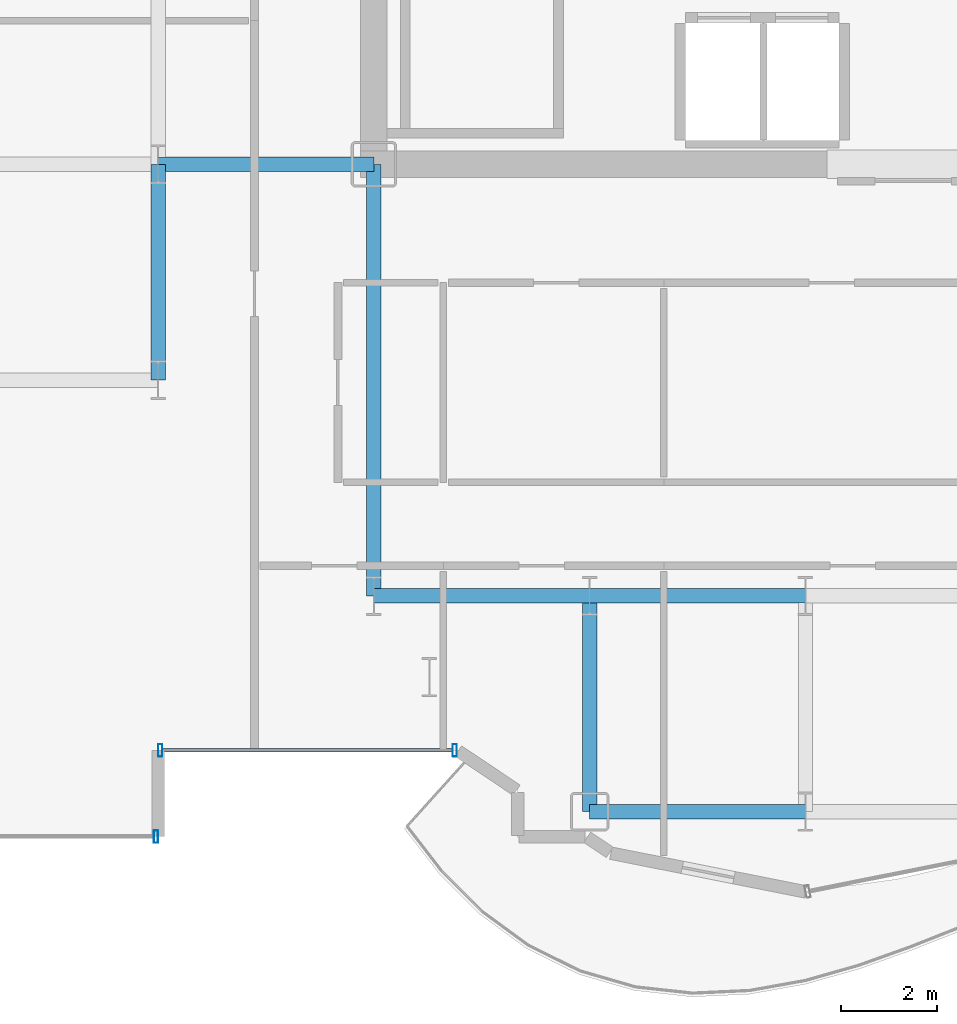
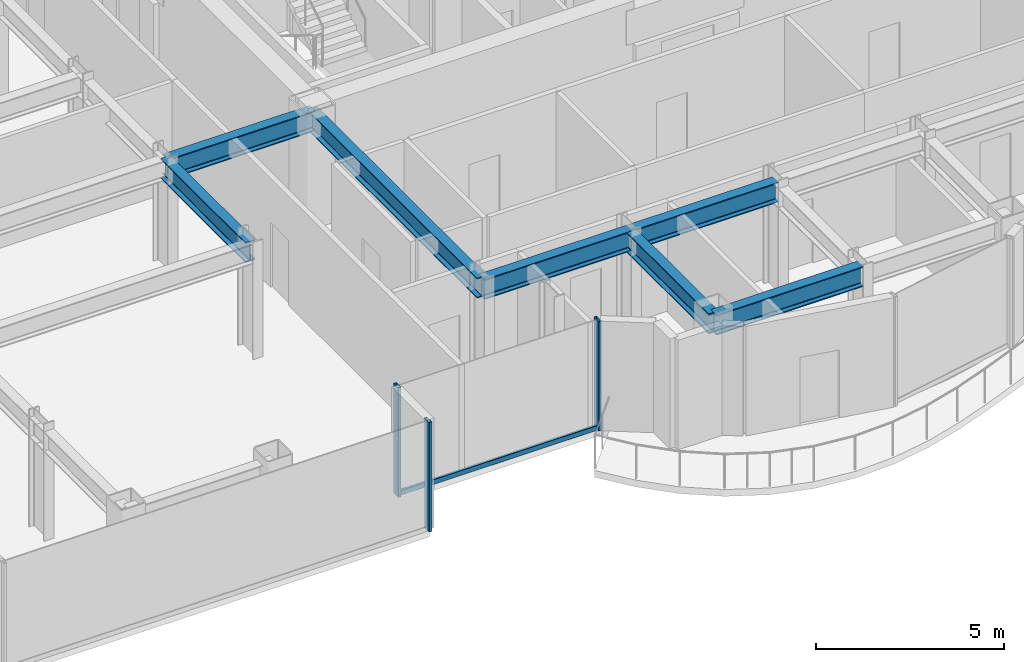
# One storey, part 5 of 26: 7 beams, 4 members, 2 elements without a shape of their own.
"""IFC4 building model written with IfcOpenShell, lengths in metres."""

from ifc_helpers import new_model, si_unit, direction, frame, origin, origin_2d, place, context, subcontext, project, spatial, hollow_rectangle, i_section, extrude, source, transform, mapped, material, layer, layer_set, material_profile, profile_set, type_object, element, aggregate, save


model = new_model("IFC4")

# Units and contexts
model_context = context("Model", 3, precision=1e-05, world=origin(), true_north=direction((0.0, 1.0)))
body_context = subcontext(model_context, "Body", "Model", "MODEL_VIEW")
ifc_project = project(units=[si_unit("LENGTHUNIT", "METRE"), si_unit("AREAUNIT", "SQUARE_METRE"), si_unit("VOLUMEUNIT", "CUBIC_METRE"), si_unit("PLANEANGLEUNIT", "RADIAN"), si_unit("MASSUNIT", "GRAM", prefix="KILO")], contexts=[model_context])

# Site, building, storey
site_placement = place(None, origin())
site = spatial("IfcSite", under=ifc_project, at=site_placement, CompositionType="ELEMENT")
building_placement = place(site_placement, origin())
building = spatial("IfcBuilding", under=site, at=building_placement, Name="Nefas-Gora Pilgrimage Tower", CompositionType="ELEMENT")
storey_placement = place(building_placement, frame((0.0, 0.0, 171.60009765625)))
storey = spatial("IfcBuildingStorey", under=building, at=storey_placement, Name="L42", CompositionType="ELEMENT", Elevation=171.60009765625)

# Beams
ifc_material_1 = material(Name="Steel S355", Category="steel")
ifc_material_profile_1 = material_profile(ifc_material_1, i_section(OverallWidth=0.300048828125, OverallDepth=0.64990234375, WebThickness=0.01611328125, FlangeThickness=0.031005859375, FilletRadius=0.027099609375, at=origin_2d()), Name="HEB 650")
ifc_profile_set_1 = profile_set([ifc_material_profile_1], Name="Steel S355")
beam_type = type_object("IfcBeamType", Name="BM-GIR-HEB650", PredefinedType="BEAM", material=ifc_profile_set_1)
shared_shape_1 = source(origin(), body_context, "Body", "SweptSolid", [
    extrude(i_section(OverallWidth=0.300048828125, OverallDepth=0.64990234375, WebThickness=0.01611328125, FlangeThickness=0.031005859375, FilletRadius=0.027099609375, at=origin_2d()), origin(), (0.0, 0.0, 1.0), 9.0),
])
beam_placement = place(storey_placement, frame((-11.25, -18.0, 3.224853515625), z_axis=(0.0, 1.0, 0.0), x_axis=(-1.0, 0.0, 0.0)))
element("IfcBeam", 1, at=beam_placement, inside=storey, type_object=beam_type, Name="L42 G-03 beam", PredefinedType="BEAM", context=body_context, shape_type="MappedRepresentation", body=[
    mapped(shared_shape_1, transform((0.0, 0.0, 0.0), x_axis=(1.0, 0.0, 0.0), y_axis=(0.0, 1.0, 0.0), z_axis=(0.0, 0.0, 1.0), scale=1.0)),
])
shared_shape_2 = source(origin(), body_context, "Body", "SweptSolid", [
    extrude(i_section(OverallWidth=0.300048828125, OverallDepth=0.64990234375, WebThickness=0.01611328125, FlangeThickness=0.031005859375, FilletRadius=0.027099609375, at=origin_2d()), origin(), (0.0, 0.0, 1.0), 4.5),
])
for number, where, z_axis, x_axis, name in (
    (2, (-15.75, -13.5, 3.224853515625), (0.0, 1.0, 0.0), (-1.0, 0.0, 0.0), "L42 G-03 beam"),
    (3, (-15.75, -9.0, 3.224853515625), (1.0, 0.0, 0.0), (0.0, 1.0, 0.0), "L42 G-03 beam"),
    (4, (-11.25, -18.0, 3.224853515625), (1.0, 0.0, 0.0), (0.0, 1.0, 0.0), "L42 G-03 beam"),
    (5, (-6.75, -22.5, 3.224853515625), (0.0, 1.0, 0.0), (-1.0, 0.0, 0.0), "L42 G-03 beam"),
    (6, (-6.75, -22.5, 3.224853515625), (1.0, 0.0, 0.0), (0.0, 1.0, 0.0), "L42 G-03 beam"),
    (7, (-6.75, -18.0, 3.224853515625), (1.0, 0.0, 0.0), (0.0, 1.0, 0.0), "L42 G-03 beam"),
):
    element("IfcBeam", number, at=place(storey_placement, frame(where, z_axis=z_axis, x_axis=x_axis)), inside=storey, type_object=beam_type, Name=name, PredefinedType="BEAM", context=body_context, shape_type="MappedRepresentation", body=[
        mapped(shared_shape_2, transform((0.0, 0.0, 0.0), x_axis=(1.0, 0.0, 0.0), y_axis=(0.0, 1.0, 0.0), z_axis=(0.0, 0.0, 1.0), scale=1.0)),
    ])

# Curtain wall, members
ifc_material_2 = material(Name="Dark ceramic-fritted solar-control aluminium-glass curtain wall", Category="aluminium")
ifc_layer_1 = layer(ifc_material_2, 0.219970703125)
ifc_layer_set_1 = layer_set([ifc_layer_1], Name="Dark ceramic-fritted solar-control aluminium-glass curtain wall")
curtain_wall_type_1 = type_object("IfcCurtainWallType", Name="CW-SYS-5", PredefinedType="NOTDEFINED", material=ifc_layer_set_1)
curtain_wall_1_placement = place(storey_placement, origin())
curtain_wall_1 = element("IfcCurtainWall", 8, at=curtain_wall_1_placement, inside=storey, type_object=curtain_wall_type_1, Name="L42 Unitised Curtain Wall CW5", PredefinedType="NOTDEFINED")
ifc_material_3 = material(Name="Anodised architectural aluminium", Category="aluminium")
ifc_material_profile_2 = material_profile(ifc_material_3, hollow_rectangle(XDim=0.080078125, YDim=0.159912109375, WallThickness=0.00439453125, InnerFilletRadius=0.00439453125, OuterFilletRadius=0.009033203125, at=origin_2d()), Name="ALU TRANSOM 80x160")
ifc_profile_set_2 = profile_set([ifc_material_profile_2], Name="Anodised architectural aluminium")
member_type_1 = type_object("IfcMemberType", Name="CWM-TRN-5", PredefinedType="USERDEFINED", material=ifc_profile_set_2)
shared_shape_3 = source(origin(), body_context, "Body", "SweptSolid", [
    extrude(hollow_rectangle(XDim=0.080078125, YDim=0.159912109375, WallThickness=0.00439453125, InnerFilletRadius=0.00439453125, OuterFilletRadius=0.009033203125, at=origin_2d()), origin(), (0.0, 0.0, 1.0), 6.052001953125),
])
member_1_placement = place(storey_placement, frame((-15.659912109375, -21.219970703125, 0.0498046875), z_axis=(1.0, 0.0, 0.0), x_axis=(0.0, 1.0, 0.0)))
member_1 = element("IfcMember", 9, at=member_1_placement, type_object=member_type_1, Name="CW5 Spandrel Transom", ObjectType="TRANSOM", PredefinedType="USERDEFINED", context=body_context, shape_type="MappedRepresentation", body=[
    mapped(shared_shape_3, transform((0.0, 0.0, 0.0), x_axis=(1.0, 0.0, 0.0), y_axis=(0.0, 1.0, 0.0), z_axis=(0.0, 0.0, 1.0), scale=1.0)),
])
ifc_material_profile_3 = material_profile(ifc_material_3, hollow_rectangle(XDim=0.090087890625, YDim=0.260009765625, WallThickness=0.006103515625, InnerFilletRadius=0.006103515625, OuterFilletRadius=0.011962890625, at=origin_2d()), Name="ALU MULLION 90x260")
ifc_profile_set_3 = profile_set([ifc_material_profile_3], Name="Anodised architectural aluminium")
member_type_2 = type_object("IfcMemberType", Name="CWM-MUL-5", PredefinedType="MULLION", material=ifc_profile_set_3)
shared_shape_4 = source(origin(), body_context, "Body", "SweptSolid", [
    extrude(hollow_rectangle(XDim=0.090087890625, YDim=0.260009765625, WallThickness=0.006103515625, InnerFilletRadius=0.006103515625, OuterFilletRadius=0.011962890625, at=origin_2d()), origin(), (0.0, 0.0, 1.0), 3.5498046875),
])
member_2_placement = place(storey_placement, frame((-15.705078125, -21.219970703125, 0.0), z_axis=(0.0, 0.0, 1.0), x_axis=(1.0, 0.0, 0.0)))
member_2 = element("IfcMember", 10, at=member_2_placement, type_object=member_type_2, Name="CW5 Mullion 1", PredefinedType="MULLION", context=body_context, shape_type="MappedRepresentation", body=[
    mapped(shared_shape_4, transform((0.0, 0.0, 0.0), x_axis=(1.0, 0.0, 0.0), y_axis=(0.0, 1.0, 0.0), z_axis=(0.0, 0.0, 1.0), scale=1.0)),
])
member_3_placement = place(storey_placement, frame((-9.56298828125, -21.219970703125, 0.0), z_axis=(0.0, 0.0, 1.0), x_axis=(1.0, 0.0, 0.0)))
member_3 = element("IfcMember", 11, at=member_3_placement, type_object=member_type_2, Name="CW5 Mullion 2", PredefinedType="MULLION", context=body_context, shape_type="MappedRepresentation", body=[
    mapped(shared_shape_4, transform((0.0, 0.0, 0.0), x_axis=(1.0, 0.0, 0.0), y_axis=(0.0, 1.0, 0.0), z_axis=(0.0, 0.0, 1.0), scale=1.0)),
])
aggregate(curtain_wall_1, [member_2, member_3, member_1])

# Curtain wall, member
ifc_layer_2 = layer(ifc_material_2, 0.219970703125)
ifc_layer_set_2 = layer_set([ifc_layer_2], Name="Dark ceramic-fritted solar-control aluminium-glass curtain wall")
curtain_wall_type_2 = type_object("IfcCurtainWallType", Name="CW-SYS-3", PredefinedType="NOTDEFINED", material=ifc_layer_set_2)
curtain_wall_2_placement = place(storey_placement, origin())
curtain_wall_2 = element("IfcCurtainWall", 12, at=curtain_wall_2_placement, inside=storey, type_object=curtain_wall_type_2, Name="L42 Unitised Curtain Wall CW3", PredefinedType="NOTDEFINED")
ifc_material_profile_4 = material_profile(ifc_material_3, hollow_rectangle(XDim=0.090087890625, YDim=0.260009765625, WallThickness=0.006103515625, InnerFilletRadius=0.006103515625, OuterFilletRadius=0.011962890625, at=origin_2d()), Name="ALU MULLION 90x260")
ifc_profile_set_4 = profile_set([ifc_material_profile_4], Name="Anodised architectural aluminium")
member_type_3 = type_object("IfcMemberType", Name="CWM-MUL-3", PredefinedType="MULLION", material=ifc_profile_set_4)
shared_shape_5 = source(origin(), body_context, "Body", "SweptSolid", [
    extrude(hollow_rectangle(XDim=0.090087890625, YDim=0.260009765625, WallThickness=0.006103515625, InnerFilletRadius=0.006103515625, OuterFilletRadius=0.011962890625, at=origin_2d()), origin(), (0.0, 0.0, 1.0), 3.5498046875),
])
member_4_placement = place(storey_placement, frame((-15.794921875, -23.02001953125, 0.0), z_axis=(0.0, 0.0, 1.0), x_axis=(1.0, 0.0, 0.0)))
member_4 = element("IfcMember", 13, at=member_4_placement, type_object=member_type_3, Name="CW3 Mullion 2", PredefinedType="MULLION", context=body_context, shape_type="MappedRepresentation", body=[
    mapped(shared_shape_5, transform((0.0, 0.0, 0.0), x_axis=(1.0, 0.0, 0.0), y_axis=(0.0, 1.0, 0.0), z_axis=(0.0, 0.0, 1.0), scale=1.0)),
])
aggregate(curtain_wall_2, [member_4])

save(model, "model.ifc")
